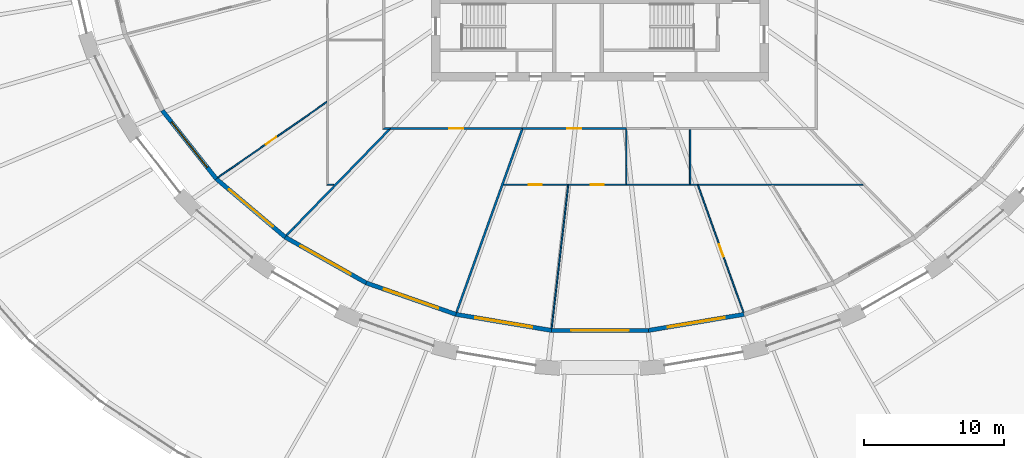
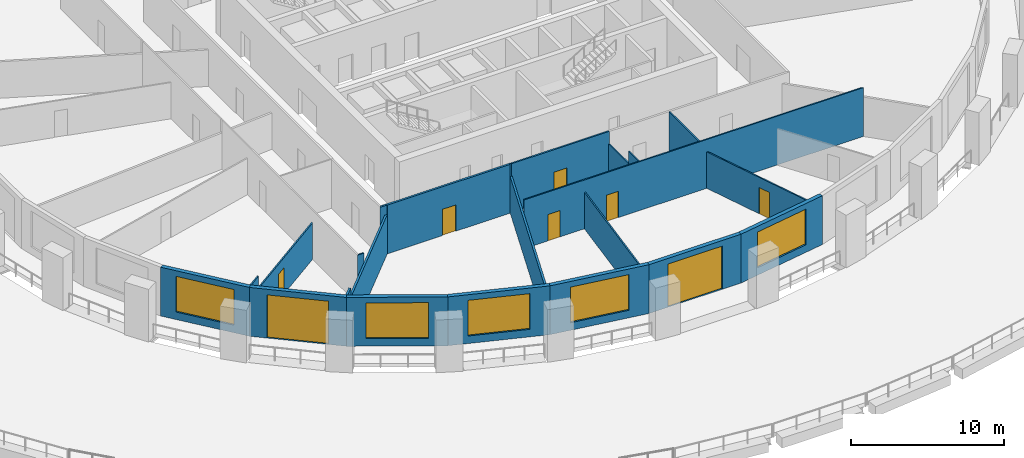
# One storey, part 5 of 16: 22 walls, 8 doors, 5 windows, 13 openings.
"""IFC4 building model written with IfcOpenShell, lengths in metres."""

from ifc_helpers import new_model, si_unit, direction, frame, frame_2d, origin, place, context, subcontext, project, spatial, polyline, rectangle, outline, extrude, material, layer, layer_set, type_object, element, fill, save


model = new_model("IFC4")

# Units and contexts
model_context = context("Model", 3, precision=1e-05, world=origin(), true_north=direction((0.0, 1.0)))
body_context = subcontext(model_context, "Body", "Model", "MODEL_VIEW")
ifc_project = project(units=[si_unit("LENGTHUNIT", "METRE"), si_unit("AREAUNIT", "SQUARE_METRE"), si_unit("VOLUMEUNIT", "CUBIC_METRE"), si_unit("PLANEANGLEUNIT", "RADIAN"), si_unit("MASSUNIT", "GRAM", prefix="KILO")], contexts=[model_context])

# Site, building, storey
site_placement = place(None, origin())
site = spatial("IfcSite", under=ifc_project, at=site_placement, CompositionType="ELEMENT")
building_placement = place(site_placement, origin())
building = spatial("IfcBuilding", under=site, at=building_placement, Name="Halqa Exchange Tower", CompositionType="ELEMENT")
storey_placement = place(building_placement, frame((0.0, 0.0, 23.5)))
storey = spatial("IfcBuildingStorey", under=building, at=storey_placement, Name="L04", CompositionType="ELEMENT", Elevation=23.5)

# Walls
ifc_material_1 = material(Name="Fire-rated gypsum board")
ifc_layer_1 = layer(ifc_material_1, 0.14990234375)
ifc_layer_set_1 = layer_set([ifc_layer_1], Name="Fire-rated gypsum board")
wall_type_1 = type_object("IfcWallType", Name="Fire partition EI 60 150", PredefinedType="PARTITIONING", material=ifc_layer_set_1)
wall_1_placement = place(storey_placement, frame((-22.33349609375, -23.017578125, 0.0), z_axis=(0.0, 0.0, 1.0), x_axis=(0.696376805516, 0.717676350969, 0.0)))
element("IfcWall", 1, at=wall_1_placement, inside=storey, type_object=wall_type_1, Name="L04-PWL-002", PredefinedType="PARTITIONING", context=body_context, shape_type="SweptSolid", body=[
    extrude(outline(polyline([(0.0, 0.074951171875), (0.0, 0.07177734375), (0.0048828125, 0.000732421875), (0.024658203125, -0.074951171875), (0.8251953125, -0.074951171875), (0.8251953125, 0.074951171875), (0.0, 0.074951171875)])), origin(), (0.0, 0.0, 1.0), 3.89990234375),
])
wall_2_placement = place(storey_placement, frame((-10.219482421875, -28.489501953125, 0.0), z_axis=(0.0, 0.0, 1.0), x_axis=(0.337910330096, 0.941178308725, 0.0)))
element("IfcWall", 2, at=wall_2_placement, inside=storey, type_object=wall_type_1, Name="L04-PWL-022", PredefinedType="PARTITIONING", context=body_context, shape_type="SweptSolid", body=[
    extrude(outline(polyline([(0.013671875, -0.074951171875), (1.957763671875, -0.074951171875), (3.901611328125, -0.074951171875), (5.845458984375, -0.074951171875), (7.789306640625, -0.074951171875), (9.733154296875, -0.074951171875), (9.737060546875, -0.073486328125), (9.737548828125, -0.074951171875), (11.115234375, -0.074951171875), (12.492919921875, -0.074951171875), (13.87060546875, -0.074951171875), (13.87060546875, -0.07470703125), (13.8525390625, -0.0244140625), (13.8525390625, -0.0244140625), (13.85107421875, -0.020263671875), (13.8369140625, -0.025390625), (13.801025390625, 0.074951171875), (11.829345703125, 0.074951171875), (9.85791015625, 0.074951171875), (7.88623046875, 0.074951171875), (5.914794921875, 0.074951171875), (3.943115234375, 0.074951171875), (1.9716796875, 0.074951171875), (0.0, 0.074951171875), (0.0, 0.06640625), (0.00048828125, -0.00146484375), (0.013671875, -0.074951171875)])), origin(), (0.0, 0.0, 1.0), 2.909912109375),
])

# Wall, opening, door
wall_3_placement = place(storey_placement, frame((-5.52001953125, -15.39990234375, 0.0), z_axis=(0.0, 0.0, 1.0), x_axis=(-1.0, 0.0, 0.0)))
wall_3 = element("IfcWall", 3, at=wall_3_placement, inside=storey, type_object=wall_type_1, Name="L04-PWL-025", PredefinedType="PARTITIONING", context=body_context, shape_type="SweptSolid", body=[
    extrude(outline(polyline([(0.0, -0.074951171875), (1.964111328125, -0.074951171875), (3.927978515625, -0.074951171875), (5.89208984375, -0.074951171875), (7.85595703125, -0.074951171875), (9.820068359375, -0.074951171875), (9.820068359375, -0.059814453125), (9.419921875, -0.059814453125), (9.419921875, 0.044677734375), (9.388916015625, 0.074951171875), (7.532470703125, 0.074951171875), (5.676025390625, 0.074951171875), (3.819580078125, 0.074951171875), (1.963134765625, 0.074951171875), (0.1064453125, 0.074951171875), (0.0830078125, 0.009521484375), (0.0, 0.039306640625), (0.0, -0.074951171875)])), origin(), (0.0, 0.0, 1.0), 3.89990234375),
])
opening_1_placement = place(wall_3_placement, frame((4.2099609375, 0.0, 0.0)))
opening_1 = element("IfcOpeningElement", 4, at=opening_1_placement, cuts=wall_3, Name="Opening 01-13", PredefinedType="OPENING", context=body_context, shape_type="SweptSolid", body=[
    extrude(rectangle(XDim=1.0, YDim=2.10009765625, at=frame_2d((0.5, 1.050048828125))), frame((0.0, 0.0869140625, 0.0), z_axis=(0.0, -1.0, 0.0), x_axis=(1.0, 0.0, 0.0)), (0.0, 0.0, 1.0), 0.173828125),
])
ifc_material_2 = material(Name="Steel fire door leaf", Category="steel")
door_type_1 = type_object("IfcDoorType", Name="Fire door FD30S 1000 x 2100", OperationType="SINGLE_SWING_LEFT", PredefinedType="DOOR", material=ifc_material_2)
door_1_placement = place(opening_1_placement, origin())
door_1 = element("IfcDoor", 5, at=door_1_placement, inside=storey, type_object=door_type_1, Name="L04-IDR-013", OperationType="SINGLE_SWING_RIGHT", OverallHeight=2.10009765625, OverallWidth=1.0, PredefinedType="DOOR", context=body_context, shape_type="SweptSolid", body=[
    extrude(rectangle(XDim=1.0, YDim=2.10009765625, at=frame_2d((0.5, 1.050048828125))), frame((0.0, 0.02490234375, 0.0), z_axis=(0.0, -1.0, 0.0), x_axis=(1.0, 0.0, 0.0)), (0.0, 0.0, 1.0), 0.050048828125),
])
fill(opening_1, door_1)

# Walls
wall_4_placement = place(storey_placement, frame((-21.7587890625, -22.42529296875, 0.0), z_axis=(0.0, 0.0, 1.0), x_axis=(0.696482576403, 0.717573704066, 0.0)))
element("IfcWall", 6, at=wall_4_placement, inside=storey, type_object=wall_type_1, Name="L04-PWL-048", PredefinedType="PARTITIONING", context=body_context, shape_type="SweptSolid", body=[
    extrude(outline(polyline([(9.758056640625, -0.074951171875), (9.758056640625, -0.074462890625), (9.736572265625, -0.05224609375), (9.747314453125, -0.041748046875), (9.687744140625, 0.01953125), (9.687744140625, 0.01953125), (9.634033203125, 0.074951171875), (7.781982421875, 0.074951171875), (5.929931640625, 0.074951171875), (4.07763671875, 0.074951171875), (4.07568359375, 0.07275390625), (4.073486328125, 0.074951171875), (2.7158203125, 0.074951171875), (1.35791015625, 0.074951171875), (0.0, 0.074951171875), (0.0, -0.074951171875), (1.95166015625, -0.074951171875), (3.9033203125, -0.074951171875), (5.854736328125, -0.074951171875), (7.806396484375, -0.074951171875), (9.758056640625, -0.074951171875)])), origin(), (0.0, 0.0, 1.0), 3.14697265625),
])
ifc_material_3 = material(Name="Fire-rated glazing", Category="glass")
ifc_layer_2 = layer(ifc_material_3, 0.1201171875)
ifc_layer_set_2 = layer_set([ifc_layer_2], Name="Fire-rated glazing")
wall_type_2 = type_object("IfcWallType", Name="Glazed fire partition EI 60 120", PredefinedType="PARTITIONING", material=ifc_layer_set_2)
wall_5_placement = place(storey_placement, frame((-14.93994140625, -15.39990234375, 0.0), z_axis=(0.0, 0.0, 1.0), x_axis=(-1.0, 0.0, 0.0)))
element("IfcWall", 7, at=wall_5_placement, inside=storey, type_object=wall_type_2, Name="L04-PWL-018", PredefinedType="PARTITIONING", context=body_context, shape_type="SweptSolid", body=[
    extrude(outline(polyline([(0.0, -0.06005859375), (0.39990234375, -0.06005859375), (0.52001953125, 0.06005859375), (0.0, 0.06005859375), (0.0, -0.06005859375)])), origin(), (0.0, 0.0, 1.0), 3.89990234375),
])

# Wall, opening, door
wall_6_placement = place(storey_placement, frame((1.8701171875, -15.39990234375, 0.0), z_axis=(0.0, 0.0, 1.0), x_axis=(-1.0, 0.0, 0.0)))
wall_6 = element("IfcWall", 8, at=wall_6_placement, inside=storey, type_object=wall_type_2, Name="L04-PWL-028", PredefinedType="PARTITIONING", context=body_context, shape_type="SweptSolid", body=[
    extrude(rectangle(XDim=7.39013671875, YDim=0.1201171875, at=frame_2d((3.695068359375, 0.0))), origin(), (0.0, 0.0, 1.0), 3.89990234375),
])
opening_2_placement = place(wall_6_placement, frame((3.195068359375, 0.0, 0.0)))
opening_2 = element("IfcOpeningElement", 9, at=opening_2_placement, cuts=wall_6, Name="Opening 01-14", PredefinedType="OPENING", context=body_context, shape_type="SweptSolid", body=[
    extrude(rectangle(XDim=1.0, YDim=2.10009765625, at=frame_2d((0.5, 1.050048828125))), frame((0.0, 0.072021484375, 0.0), z_axis=(0.0, -1.0, 0.0), x_axis=(1.0, 0.0, 0.0)), (0.0, 0.0, 1.0), 0.14404296875),
])
door_2_placement = place(opening_2_placement, origin())
door_2 = element("IfcDoor", 10, at=door_2_placement, inside=storey, type_object=door_type_1, Name="L04-IDR-014", OperationType="SINGLE_SWING_LEFT", OverallHeight=2.10009765625, OverallWidth=1.0, PredefinedType="DOOR", context=body_context, shape_type="SweptSolid", body=[
    extrude(rectangle(XDim=1.0, YDim=2.10009765625, at=frame_2d((0.5, 1.050048828125))), frame((0.0, 0.02490234375, 0.0), z_axis=(0.0, -1.0, 0.0), x_axis=(1.0, 0.0, 0.0)), (0.0, 0.0, 1.0), 0.050048828125),
])
fill(opening_2, door_2)

ifc_material_4 = material(Name="Gypsum board")
ifc_layer_3 = layer(ifc_material_4, 0.10009765625)
ifc_layer_set_3 = layer_set([ifc_layer_3], Name="Gypsum board")
wall_type_3 = type_object("IfcWallType", Name="Partition 100 gypsum", PredefinedType="PARTITIONING", material=ifc_layer_set_3)
wall_7_placement = place(storey_placement, frame((-19.421875, -13.485107421875, 0.0), z_axis=(0.0, 0.0, 1.0), x_axis=(-0.821711016695, -0.569904382368, 0.0)))
wall_7 = element("IfcWall", 11, at=wall_7_placement, inside=storey, type_object=wall_type_3, Name="L04-PWL-004", PredefinedType="PARTITIONING", context=body_context, shape_type="SweptSolid", body=[
    extrude(outline(polyline([(8.334228515625, 0.050048828125), (6.68115234375, 0.050048828125), (5.028076171875, 0.050048828125), (3.375, 0.050048828125), (1.721923828125, 0.050048828125), (0.06884765625, 0.050048828125), (0.0, -0.04931640625), (0.0, -0.050048828125), (1.666748046875, -0.050048828125), (3.333740234375, -0.050048828125), (5.00048828125, -0.050048828125), (6.66748046875, -0.050048828125), (8.334228515625, -0.050048828125), (8.334228515625, 0.050048828125)])), origin(), (0.0, 0.0, 1.0), 2.909912109375),
])
opening_3_placement = place(wall_7_placement, frame((4.427978515625, 0.0, 0.0)))
opening_3 = element("IfcOpeningElement", 12, at=opening_3_placement, cuts=wall_7, Name="Opening 01-27", PredefinedType="OPENING", context=body_context, shape_type="SweptSolid", body=[
    extrude(rectangle(XDim=0.89990234375, YDim=2.10009765625, at=frame_2d((0.449951171875, 1.050048828125))), frame((0.0, 0.06201171875, 0.0), z_axis=(0.0, -1.0, 0.0), x_axis=(1.0, 0.0, 0.0)), (0.0, 0.0, 1.0), 0.1240234375),
])
ifc_material_5 = material(Name="Timber door leaf", Category="wood")
door_type_2 = type_object("IfcDoorType", Name="Door 900 x 2100", OperationType="SINGLE_SWING_LEFT", PredefinedType="DOOR", material=ifc_material_5)
door_3_placement = place(opening_3_placement, origin())
door_3 = element("IfcDoor", 13, at=door_3_placement, inside=storey, type_object=door_type_2, Name="L04-IDR-027", OperationType="SINGLE_SWING_RIGHT", OverallHeight=2.10009765625, OverallWidth=0.89990234375, PredefinedType="DOOR", context=body_context, shape_type="SweptSolid", body=[
    extrude(rectangle(XDim=0.89990234375, YDim=2.10009765625, at=frame_2d((0.449951171875, 1.050048828125))), frame((0.0, 0.02490234375, 0.0), z_axis=(0.0, -1.0, 0.0), x_axis=(1.0, 0.0, 0.0)), (0.0, 0.0, 1.0), 0.050048828125),
])
fill(opening_3, door_3)

# Wall
wall_8_placement = place(storey_placement, frame((-18.972412109375, -19.39990234375, 0.0), z_axis=(0.0, 0.0, 1.0), x_axis=(-1.0, 0.0, 0.0)))
element("IfcWall", 14, at=wall_8_placement, inside=storey, type_object=wall_type_3, Name="L04-PWL-012", PredefinedType="PARTITIONING", context=body_context, shape_type="SweptSolid", body=[
    extrude(outline(polyline([(0.0, -0.050048828125), (0.37744140625, -0.050048828125), (0.4775390625, 0.050048828125), (0.0, 0.050048828125), (0.0, -0.050048828125)])), origin(), (0.0, 0.0, 1.0), 3.89990234375),
])

# Wall, openings, doors
wall_9_placement = place(storey_placement, frame((-6.89404296875, -19.39990234375, 0.0), z_axis=(0.0, 0.0, 1.0), x_axis=(1.0, 0.0, 0.0)))
wall_9 = element("IfcWall", 15, at=wall_9_placement, inside=storey, type_object=wall_type_3, Name="L04-PWL-024", PredefinedType="PARTITIONING", context=body_context, shape_type="SweptSolid", body=[
    extrude(outline(polyline([(0.0, -0.050048828125), (1.52587890625, -0.050048828125), (3.052001953125, -0.050048828125), (4.577880859375, -0.050048828125), (4.578125, -0.049072265625), (4.587158203125, -0.050048828125), (6.4541015625, -0.050048828125), (8.321044921875, -0.050048828125), (10.18798828125, -0.050048828125), (12.05517578125, -0.050048828125), (13.922119140625, -0.050048828125), (13.9248046875, -0.049072265625), (13.925048828125, -0.050048828125), (15.6962890625, -0.050048828125), (17.467529296875, -0.050048828125), (19.23876953125, -0.050048828125), (19.2431640625, -0.04736328125), (19.24462890625, -0.050048828125), (20.847900390625, -0.050048828125), (22.451171875, -0.050048828125), (24.05419921875, -0.050048828125), (25.657470703125, -0.050048828125), (25.657470703125, -0.049560546875), (25.614013671875, -0.004638671875), (25.614013671875, -0.004638671875), (25.56103515625, 0.050048828125), (23.818603515625, 0.050048828125), (22.076171875, 0.050048828125), (20.333740234375, 0.050048828125), (18.59130859375, 0.050048828125), (16.848876953125, 0.050048828125), (15.1064453125, 0.050048828125), (13.364013671875, 0.050048828125), (13.364013671875, 0.0498046875), (13.26416015625, 0.0498046875), (13.26416015625, 0.050048828125), (11.78076171875, 0.050048828125), (10.29736328125, 0.050048828125), (8.81396484375, 0.050048828125), (8.81396484375, 0.0498046875), (8.714111328125, 0.0498046875), (8.714111328125, 0.050048828125), (6.978271484375, 0.050048828125), (5.24267578125, 0.050048828125), (3.507080078125, 0.050048828125), (1.771240234375, 0.050048828125), (0.03564453125, 0.050048828125), (0.0, -0.04931640625), (0.0, -0.050048828125)])), origin(), (0.0, 0.0, 1.0), 3.89990234375),
])
opening_4_placement = place(wall_9_placement, frame((6.2490234375, 0.0, 0.0)))
opening_4 = element("IfcOpeningElement", 16, at=opening_4_placement, cuts=wall_9, Name="Opening 01-28", PredefinedType="OPENING", context=body_context, shape_type="SweptSolid", body=[
    extrude(rectangle(XDim=0.89990234375, YDim=2.10009765625, at=frame_2d((0.449951171875, 1.050048828125))), frame((0.0, 0.06201171875, 0.0), z_axis=(0.0, -1.0, 0.0), x_axis=(1.0, 0.0, 0.0)), (0.0, 0.0, 1.0), 0.1240234375),
])
opening_5_placement = place(wall_9_placement, frame((1.833984375, 0.0, 0.0)))
opening_5 = element("IfcOpeningElement", 17, at=opening_5_placement, cuts=wall_9, Name="Opening 01-29", PredefinedType="OPENING", context=body_context, shape_type="SweptSolid", body=[
    extrude(rectangle(XDim=0.89990234375, YDim=2.10009765625, at=frame_2d((0.449951171875, 1.050048828125))), frame((0.0, 0.06201171875, 0.0), z_axis=(0.0, -1.0, 0.0), x_axis=(1.0, 0.0, 0.0)), (0.0, 0.0, 1.0), 0.1240234375),
])
door_4_placement = place(opening_4_placement, origin())
door_4 = element("IfcDoor", 18, at=door_4_placement, inside=storey, type_object=door_type_2, Name="L04-IDR-028", OperationType="SINGLE_SWING_LEFT", OverallHeight=2.10009765625, OverallWidth=0.89990234375, PredefinedType="DOOR", context=body_context, shape_type="SweptSolid", body=[
    extrude(rectangle(XDim=0.89990234375, YDim=2.10009765625, at=frame_2d((0.449951171875, 1.050048828125))), frame((0.0, 0.02490234375, 0.0), z_axis=(0.0, -1.0, 0.0), x_axis=(1.0, 0.0, 0.0)), (0.0, 0.0, 1.0), 0.050048828125),
])
fill(opening_4, door_4)
door_5_placement = place(opening_5_placement, origin())
door_5 = element("IfcDoor", 19, at=door_5_placement, inside=storey, type_object=door_type_2, Name="L04-IDR-029", OperationType="SINGLE_SWING_RIGHT", OverallHeight=2.10009765625, OverallWidth=0.89990234375, PredefinedType="DOOR", context=body_context, shape_type="SweptSolid", body=[
    extrude(rectangle(XDim=0.89990234375, YDim=2.10009765625, at=frame_2d((0.449951171875, 1.050048828125))), frame((0.0, 0.02490234375, 0.0), z_axis=(0.0, -1.0, 0.0), x_axis=(1.0, 0.0, 0.0)), (0.0, 0.0, 1.0), 0.050048828125),
])
fill(opening_5, door_5)

# Walls
wall_10_placement = place(storey_placement, frame((-3.44482421875, -29.6259765625, 0.0), z_axis=(0.0, 0.0, 1.0), x_axis=(0.115096942751, 0.993354263981, 0.0)))
element("IfcWall", 20, at=wall_10_placement, inside=storey, type_object=wall_type_3, Name="L04-PWL-027", PredefinedType="PARTITIONING", context=body_context, shape_type="SweptSolid", body=[
    extrude(outline(polyline([(10.24951171875, -0.050048828125), (10.24951171875, -0.047119140625), (10.23828125, 0.050048828125), (8.531982421875, 0.050048828125), (6.825439453125, 0.050048828125), (5.119140625, 0.050048828125), (3.412841796875, 0.050048828125), (1.706298828125, 0.050048828125), (0.0, 0.050048828125), (0.0, -0.017578125), (0.003662109375, -0.050048828125), (1.71142578125, -0.050048828125), (3.4189453125, -0.050048828125), (5.126708984375, -0.050048828125), (6.834228515625, -0.050048828125), (8.5419921875, -0.050048828125), (10.24951171875, -0.050048828125)])), origin(), (0.0, 0.0, 1.0), 2.909912109375),
])
wall_11_placement = place(storey_placement, frame((1.8701171875, -15.46044921875, 0.0), z_axis=(0.0, 0.0, 1.0), x_axis=(0.0, -1.0, 0.0)))
element("IfcWall", 21, at=wall_11_placement, inside=storey, type_object=wall_type_3, Name="L04-PWL-029", PredefinedType="PARTITIONING", context=body_context, shape_type="SweptSolid", body=[
    extrude(outline(polyline([(2.58251953125, 0.050048828125), (1.298583984375, 0.050048828125), (0.0146484375, 0.050048828125), (0.0146484375, 0.0), (0.0, 0.0), (0.0, -0.050048828125), (1.291259765625, -0.050048828125), (2.58251953125, -0.050048828125), (2.58251953125, 0.050048828125)])), origin(), (0.0, 0.0, 1.0), 2.909912109375),
])
wall_12_placement = place(storey_placement, frame((6.419921875, -15.47509765625, 0.0), z_axis=(0.0, 0.0, 1.0), x_axis=(0.0, -1.0, 0.0)))
element("IfcWall", 22, at=wall_12_placement, inside=storey, type_object=wall_type_3, Name="L04-PWL-032", PredefinedType="PARTITIONING", context=body_context, shape_type="SweptSolid", body=[
    extrude(rectangle(XDim=3.875, YDim=0.10009765625, at=frame_2d((1.9375, 0.0))), origin(), (0.0, 0.0, 1.0), 3.89990234375),
])

# Wall, opening, door
wall_13_placement = place(storey_placement, frame((6.971923828125, -19.433349609375, 0.0), z_axis=(0.0, 0.0, 1.0), x_axis=(0.337548274923, -0.941308218437, 0.0)))
wall_13 = element("IfcWall", 23, at=wall_13_placement, inside=storey, type_object=wall_type_3, Name="L04-PWL-033", PredefinedType="PARTITIONING", context=body_context, shape_type="SweptSolid", body=[
    extrude(outline(polyline([(0.0, -0.050048828125), (1.92236328125, -0.050048828125), (3.8447265625, -0.050048828125), (5.766845703125, -0.050048828125), (7.689208984375, -0.050048828125), (9.611572265625, -0.050048828125), (9.620361328125, -0.001220703125), (9.620361328125, 0.002197265625), (9.620361328125, 0.050048828125), (7.703369140625, 0.050048828125), (5.786376953125, 0.050048828125), (3.86962890625, 0.050048828125), (1.95263671875, 0.050048828125), (0.03564453125, 0.050048828125), (0.0, -0.04931640625), (0.0, -0.050048828125)])), origin(), (0.0, 0.0, 1.0), 2.909912109375),
])
opening_6_placement = place(wall_13_placement, frame((4.49169921875, 0.0, 0.0)))
opening_6 = element("IfcOpeningElement", 24, at=opening_6_placement, cuts=wall_13, Name="Opening 01-30", PredefinedType="OPENING", context=body_context, shape_type="SweptSolid", body=[
    extrude(rectangle(XDim=0.89990234375, YDim=2.10009765625, at=frame_2d((0.449951171875, 1.050048828125))), frame((0.0, 0.06201171875, 0.0), z_axis=(0.0, -1.0, 0.0), x_axis=(1.0, 0.0, 0.0)), (0.0, 0.0, 1.0), 0.1240234375),
])
door_6_placement = place(opening_6_placement, origin())
door_6 = element("IfcDoor", 25, at=door_6_placement, inside=storey, type_object=door_type_2, Name="L04-IDR-030", OperationType="SINGLE_SWING_RIGHT", OverallHeight=2.10009765625, OverallWidth=0.89990234375, PredefinedType="DOOR", context=body_context, shape_type="SweptSolid", body=[
    extrude(rectangle(XDim=0.89990234375, YDim=2.10009765625, at=frame_2d((0.449951171875, 1.050048828125))), frame((0.0, 0.02490234375, 0.0), z_axis=(0.0, -1.0, 0.0), x_axis=(1.0, 0.0, 0.0)), (0.0, 0.0, 1.0), 0.050048828125),
])
fill(opening_6, door_6)

# Walls
wall_14_placement = place(storey_placement, frame((-26.270263671875, -18.23486328125, 0.0), z_axis=(0.0, 0.0, 1.0), x_axis=(-0.821724425531, -0.569885048484, 0.0)))
element("IfcWall", 26, at=wall_14_placement, inside=storey, type_object=wall_type_3, Name="L04-PWL-049", PredefinedType="PARTITIONING", context=body_context, shape_type="SweptSolid", body=[
    extrude(outline(polyline([(1.146728515625, -0.050048828125), (1.146728515625, -0.048095703125), (1.143798828125, 0.000244140625), (1.13037109375, 0.050048828125), (0.0, 0.050048828125), (0.0, -0.050048828125), (1.146728515625, -0.050048828125)])), origin(), (0.0, 0.0, 1.0), 3.89990234375),
])
wall_15_placement = place(storey_placement, frame((1.8701171875, -18.04296875, 0.0), z_axis=(0.0, 0.0, 1.0), x_axis=(0.0, -1.0, 0.0)))
element("IfcWall", 27, at=wall_15_placement, inside=storey, type_object=wall_type_3, Name="L04-PWL-050", PredefinedType="PARTITIONING", context=body_context, shape_type="SweptSolid", body=[
    extrude(outline(polyline([(0.0, -0.050048828125), (1.30712890625, -0.050048828125), (1.30712890625, 0.050048828125), (0.0, 0.050048828125), (0.0, -0.050048828125)])), origin(), (0.0, 0.0, 1.0), 3.89990234375),
])

# Wall, opening, window
ifc_material_6 = material(Name="Limestone cladding", Category="masonry")
ifc_layer_4 = layer(ifc_material_6, 0.0400390625)
ifc_material_7 = material(Name="Ventilated cavity")
ifc_layer_5 = layer(ifc_material_7, 0.030029296875, ventilated=True)
ifc_material_8 = material(Name="Mineral wool insulation")
ifc_layer_6 = layer(ifc_material_8, 0.10009765625)
ifc_material_9 = material(Name="Concrete C30/37", Category="concrete")
ifc_layer_7 = layer(ifc_material_9, 0.10009765625)
ifc_material_10 = material(Name="Internal plaster")
ifc_layer_8 = layer(ifc_material_10, 0.030029296875)
ifc_layer_set_4 = layer_set([ifc_layer_4, ifc_layer_5, ifc_layer_6, ifc_layer_7, ifc_layer_8], Name="Stone-faced insulated wall 300")
wall_type_4 = type_object("IfcWallType", Name="Stone-faced insulated wall 300", PredefinedType="STANDARD", material=ifc_layer_set_4)
wall_16_placement = place(storey_placement, frame((-31.17138671875, -14.114501953125, 0.0), z_axis=(0.0, 0.0, 1.0), x_axis=(0.619902786528, -0.784678619089, 0.0)))
wall_16 = element("IfcWall", 28, at=wall_16_placement, inside=storey, type_object=wall_type_4, Name="Glass-line wall 19", PredefinedType="STANDARD", context=body_context, shape_type="SweptSolid", body=[
    extrude(outline(polyline([(-0.01611328125, -0.14990234375), (6.230712890625, -0.14990234375), (6.200439453125, 0.14990234375), (0.01611328125, 0.14990234375), (-0.01611328125, -0.14990234375)])), origin(), (0.0, 0.0, 1.0), 3.89990234375),
])
opening_7_placement = place(wall_16_placement, frame((1.0576171875, 0.0, 0.60009765625)))
opening_7 = element("IfcOpeningElement", 29, at=opening_7_placement, cuts=wall_16, Name="Opening W-F1-19", PredefinedType="OPENING", context=body_context, shape_type="SweptSolid", body=[
    extrude(rectangle(XDim=4.10009765625, YDim=2.85009765625, at=frame_2d((2.050048828125, 1.425048828125))), frame((0.0, 0.162109375, 0.0), z_axis=(0.0, -1.0, 0.0), x_axis=(1.0, 0.0, 0.0)), (0.0, 0.0, 1.0), 0.323974609375),
])
ifc_material_11 = material(Name="Clear low-emissivity glass in aluminium frame", Category="aluminium")
window_type = type_object("IfcWindowType", Name="Fixed clear glazed window 4100 x 2850", PartitioningType="TRIPLE_PANEL_VERTICAL", PredefinedType="WINDOW", material=ifc_material_11)
window_1_placement = place(opening_7_placement, origin())
window_1 = element("IfcWindow", 30, at=window_1_placement, inside=storey, type_object=window_type, Name="Window 1", OverallHeight=2.85009765625, OverallWidth=4.10009765625, PartitioningType="TRIPLE_PANEL_VERTICAL", PredefinedType="WINDOW", context=body_context, shape_type="SweptSolid", body=[
    extrude(rectangle(XDim=4.10009765625, YDim=2.85009765625, at=frame_2d((2.050048828125, 1.425048828125))), frame((0.0, 0.030029296875, 0.0), z_axis=(0.0, -1.0, 0.0), x_axis=(1.0, 0.0, 0.0)), (0.0, 0.0, 1.0), 0.06005859375),
])
fill(opening_7, window_1)

# Wall, opening, door
wall_17_placement = place(storey_placement, frame((-27.318359375, -18.99169921875, 0.0), z_axis=(0.0, 0.0, 1.0), x_axis=(0.763540615407, -0.645759807223, 0.0)))
wall_17 = element("IfcWall", 31, at=wall_17_placement, inside=storey, type_object=wall_type_4, Name="Glass-line wall 20", PredefinedType="STANDARD", context=body_context, shape_type="SweptSolid", body=[
    extrude(outline(polyline([(-0.01513671875, -0.14990234375), (6.433837890625, -0.14990234375), (6.405517578125, 0.14990234375), (0.01513671875, 0.14990234375), (-0.01513671875, -0.14990234375)])), origin(), (0.0, 0.0, 1.0), 3.89990234375),
])
opening_8_placement = place(wall_17_placement, frame((1.159912109375, 0.0, 0.0)))
opening_8 = element("IfcOpeningElement", 32, at=opening_8_placement, cuts=wall_17, Name="Opening LG-F1-05", PredefinedType="OPENING", context=body_context, shape_type="SweptSolid", body=[
    extrude(rectangle(XDim=4.10009765625, YDim=3.449951171875, at=frame_2d((2.050048828125, 1.72509765625))), frame((0.0, 0.162109375, 0.0), z_axis=(0.0, -1.0, 0.0), x_axis=(1.0, 0.0, 0.0)), (0.0, 0.0, 1.0), 0.323974609375),
])
door_type_3 = type_object("IfcDoorType", Name="Glazed sliding loggia door 4100 x 3450", OperationType="DOUBLE_DOOR_SLIDING", PredefinedType="DOOR", material=ifc_material_11)
door_7_placement = place(opening_8_placement, origin())
door_7 = element("IfcDoor", 33, at=door_7_placement, inside=storey, type_object=door_type_3, Name="Loggia door 5", OperationType="DOUBLE_DOOR_SLIDING", OverallHeight=3.449951171875, OverallWidth=4.10009765625, PredefinedType="DOOR", context=body_context, shape_type="SweptSolid", body=[
    extrude(rectangle(XDim=4.10009765625, YDim=3.449951171875, at=frame_2d((2.050048828125, 1.72509765625))), frame((0.0, 0.02490234375, 0.0), z_axis=(0.0, -1.0, 0.0), x_axis=(1.0, 0.0, 0.0)), (0.0, 0.0, 1.0), 0.050048828125),
])
fill(opening_8, door_7)

# Wall, opening, window
wall_18_placement = place(storey_placement, frame((-22.416748046875, -23.13720703125, 0.0), z_axis=(0.0, 0.0, 1.0), x_axis=(0.8705786416, -0.492029296678, 0.0)))
wall_18 = element("IfcWall", 34, at=wall_18_placement, inside=storey, type_object=wall_type_4, Name="Glass-line wall 21", PredefinedType="STANDARD", context=body_context, shape_type="SweptSolid", body=[
    extrude(outline(polyline([(-0.01416015625, -0.14990234375), (6.631103515625, -0.14990234375), (6.604248046875, 0.14990234375), (0.01416015625, 0.14990234375), (-0.01416015625, -0.14990234375)])), origin(), (0.0, 0.0, 1.0), 3.89990234375),
])
opening_9_placement = place(wall_18_placement, frame((1.2587890625, 0.0, 0.60009765625)))
opening_9 = element("IfcOpeningElement", 35, at=opening_9_placement, cuts=wall_18, Name="Opening W-F1-21", PredefinedType="OPENING", context=body_context, shape_type="SweptSolid", body=[
    extrude(rectangle(XDim=4.10009765625, YDim=2.85009765625, at=frame_2d((2.050048828125, 1.425048828125))), frame((0.0, 0.162109375, 0.0), z_axis=(0.0, -1.0, 0.0), x_axis=(1.0, 0.0, 0.0)), (0.0, 0.0, 1.0), 0.323974609375),
])
window_2_placement = place(opening_9_placement, origin())
window_2 = element("IfcWindow", 36, at=window_2_placement, inside=storey, type_object=window_type, Name="Window 1", OverallHeight=2.85009765625, OverallWidth=4.10009765625, PartitioningType="TRIPLE_PANEL_VERTICAL", PredefinedType="WINDOW", context=body_context, shape_type="SweptSolid", body=[
    extrude(rectangle(XDim=4.10009765625, YDim=2.85009765625, at=frame_2d((2.050048828125, 1.425048828125))), frame((0.0, 0.030029296875, 0.0), z_axis=(0.0, -1.0, 0.0), x_axis=(1.0, 0.0, 0.0)), (0.0, 0.0, 1.0), 0.06005859375),
])
fill(opening_9, window_2)

wall_19_placement = place(storey_placement, frame((-16.655517578125, -26.393310546875, 0.0), z_axis=(0.0, 0.0, 1.0), x_axis=(0.943767392455, -0.330610206947, 0.0)))
wall_19 = element("IfcWall", 37, at=wall_19_placement, inside=storey, type_object=wall_type_4, Name="Glass-line wall 22", PredefinedType="STANDARD", context=body_context, shape_type="SweptSolid", body=[
    extrude(outline(polyline([(-0.013427734375, -0.14990234375), (6.7939453125, -0.14990234375), (6.7685546875, 0.14990234375), (0.013427734375, 0.14990234375), (-0.013427734375, -0.14990234375)])), origin(), (0.0, 0.0, 1.0), 3.89990234375),
])
opening_10_placement = place(wall_19_placement, frame((1.340576171875, 0.0, 0.60009765625)))
opening_10 = element("IfcOpeningElement", 38, at=opening_10_placement, cuts=wall_19, Name="Opening W-F1-22", PredefinedType="OPENING", context=body_context, shape_type="SweptSolid", body=[
    extrude(rectangle(XDim=4.10009765625, YDim=2.85009765625, at=frame_2d((2.050048828125, 1.425048828125))), frame((0.0, 0.162109375, 0.0), z_axis=(0.0, -1.0, 0.0), x_axis=(1.0, 0.0, 0.0)), (0.0, 0.0, 1.0), 0.323974609375),
])
window_3_placement = place(opening_10_placement, origin())
window_3 = element("IfcWindow", 39, at=window_3_placement, inside=storey, type_object=window_type, Name="Window 1", OverallHeight=2.85009765625, OverallWidth=4.10009765625, PartitioningType="TRIPLE_PANEL_VERTICAL", PredefinedType="WINDOW", context=body_context, shape_type="SweptSolid", body=[
    extrude(rectangle(XDim=4.10009765625, YDim=2.85009765625, at=frame_2d((2.050048828125, 1.425048828125))), frame((0.0, 0.030029296875, 0.0), z_axis=(0.0, -1.0, 0.0), x_axis=(1.0, 0.0, 0.0)), (0.0, 0.0, 1.0), 0.06005859375),
])
fill(opening_10, window_3)

wall_20_placement = place(storey_placement, frame((-10.255615234375, -28.63525390625, 0.0), z_axis=(0.0, 0.0, 1.0), x_axis=(0.986141805867, -0.165904607291, 0.0)))
wall_20 = element("IfcWall", 40, at=wall_20_placement, inside=storey, type_object=wall_type_4, Name="Glass-line wall 23", PredefinedType="STANDARD", context=body_context, shape_type="SweptSolid", body=[
    extrude(outline(polyline([(-0.0126953125, -0.14990234375), (6.90087890625, -0.14990234375), (6.8759765625, 0.14990234375), (0.0126953125, 0.14990234375), (-0.0126953125, -0.14990234375)])), origin(), (0.0, 0.0, 1.0), 3.89990234375),
])
opening_11_placement = place(wall_20_placement, frame((1.39404296875, 0.0, 0.60009765625)))
opening_11 = element("IfcOpeningElement", 41, at=opening_11_placement, cuts=wall_20, Name="Opening W-F1-23", PredefinedType="OPENING", context=body_context, shape_type="SweptSolid", body=[
    extrude(rectangle(XDim=4.10009765625, YDim=2.85009765625, at=frame_2d((2.050048828125, 1.425048828125))), frame((0.0, 0.162109375, 0.0), z_axis=(0.0, -1.0, 0.0), x_axis=(1.0, 0.0, 0.0)), (0.0, 0.0, 1.0), 0.323974609375),
])
window_4_placement = place(opening_11_placement, origin())
window_4 = element("IfcWindow", 42, at=window_4_placement, inside=storey, type_object=window_type, Name="Window 1", OverallHeight=2.85009765625, OverallWidth=4.10009765625, PartitioningType="TRIPLE_PANEL_VERTICAL", PredefinedType="WINDOW", context=body_context, shape_type="SweptSolid", body=[
    extrude(rectangle(XDim=4.10009765625, YDim=2.85009765625, at=frame_2d((2.050048828125, 1.425048828125))), frame((0.0, 0.030029296875, 0.0), z_axis=(0.0, -1.0, 0.0), x_axis=(1.0, 0.0, 0.0)), (0.0, 0.0, 1.0), 0.06005859375),
])
fill(opening_11, window_4)

# Wall, opening, door
wall_21_placement = place(storey_placement, frame((-3.462646484375, -29.778076171875, 0.0), z_axis=(0.0, 0.0, 1.0), x_axis=(1.0, 0.0, 0.0)))
wall_21 = element("IfcWall", 43, at=wall_21_placement, inside=storey, type_object=wall_type_4, Name="Glass-line wall 24", PredefinedType="STANDARD", context=body_context, shape_type="SweptSolid", body=[
    extrude(outline(polyline([(-0.012451171875, -0.14990234375), (6.937744140625, -0.14990234375), (6.912841796875, 0.14990234375), (0.012451171875, 0.14990234375), (-0.012451171875, -0.14990234375)])), origin(), (0.0, 0.0, 1.0), 3.89990234375),
])
opening_12_placement = place(wall_21_placement, frame((1.41259765625, 0.0, 0.0)))
opening_12 = element("IfcOpeningElement", 44, at=opening_12_placement, cuts=wall_21, Name="Opening LG-F1-06", PredefinedType="OPENING", context=body_context, shape_type="SweptSolid", body=[
    extrude(rectangle(XDim=4.10009765625, YDim=3.449951171875, at=frame_2d((2.050048828125, 1.72509765625))), frame((0.0, 0.162109375, 0.0), z_axis=(0.0, -1.0, 0.0), x_axis=(1.0, 0.0, 0.0)), (0.0, 0.0, 1.0), 0.323974609375),
])
door_8_placement = place(opening_12_placement, origin())
door_8 = element("IfcDoor", 45, at=door_8_placement, inside=storey, type_object=door_type_3, Name="Loggia door 6", OperationType="DOUBLE_DOOR_SLIDING", OverallHeight=3.449951171875, OverallWidth=4.10009765625, PredefinedType="DOOR", context=body_context, shape_type="SweptSolid", body=[
    extrude(rectangle(XDim=4.10009765625, YDim=3.449951171875, at=frame_2d((2.050048828125, 1.72509765625))), frame((0.0, 0.02490234375, 0.0), z_axis=(0.0, -1.0, 0.0), x_axis=(1.0, 0.0, 0.0)), (0.0, 0.0, 1.0), 0.050048828125),
])
fill(opening_12, door_8)

# Wall, opening, window
wall_22_placement = place(storey_placement, frame((3.462646484375, -29.778076171875, 0.0), z_axis=(0.0, 0.0, 1.0), x_axis=(0.986141805867, 0.165904607291, 0.0)))
wall_22 = element("IfcWall", 46, at=wall_22_placement, inside=storey, type_object=wall_type_4, Name="Glass-line wall 25", PredefinedType="STANDARD", context=body_context, shape_type="SweptSolid", body=[
    extrude(outline(polyline([(-0.012451171875, -0.14990234375), (6.901123046875, -0.14990234375), (6.875732421875, 0.14990234375), (0.012451171875, 0.14990234375), (-0.012451171875, -0.14990234375)])), origin(), (0.0, 0.0, 1.0), 3.89990234375),
])
opening_13_placement = place(wall_22_placement, frame((1.39404296875, 0.0, 0.60009765625)))
opening_13 = element("IfcOpeningElement", 47, at=opening_13_placement, cuts=wall_22, Name="Opening W-F1-25", PredefinedType="OPENING", context=body_context, shape_type="SweptSolid", body=[
    extrude(rectangle(XDim=4.10009765625, YDim=2.85009765625, at=frame_2d((2.050048828125, 1.425048828125))), frame((0.0, 0.162109375, 0.0), z_axis=(0.0, -1.0, 0.0), x_axis=(1.0, 0.0, 0.0)), (0.0, 0.0, 1.0), 0.323974609375),
])
window_5_placement = place(opening_13_placement, origin())
window_5 = element("IfcWindow", 48, at=window_5_placement, inside=storey, type_object=window_type, Name="Window 1", OverallHeight=2.85009765625, OverallWidth=4.10009765625, PartitioningType="TRIPLE_PANEL_VERTICAL", PredefinedType="WINDOW", context=body_context, shape_type="SweptSolid", body=[
    extrude(rectangle(XDim=4.10009765625, YDim=2.85009765625, at=frame_2d((2.050048828125, 1.425048828125))), frame((0.0, 0.030029296875, 0.0), z_axis=(0.0, -1.0, 0.0), x_axis=(1.0, 0.0, 0.0)), (0.0, 0.0, 1.0), 0.06005859375),
])
fill(opening_13, window_5)

save(model, "model.ifc")
